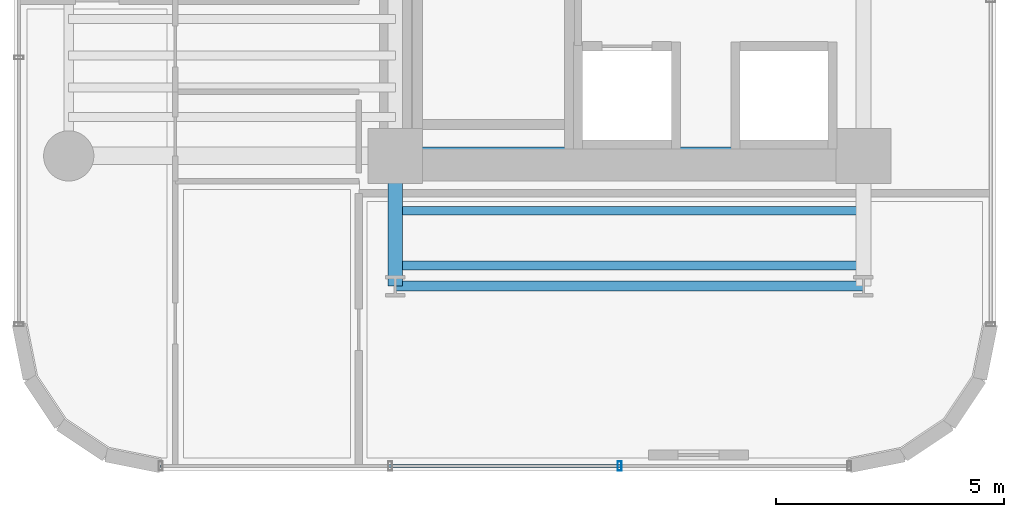
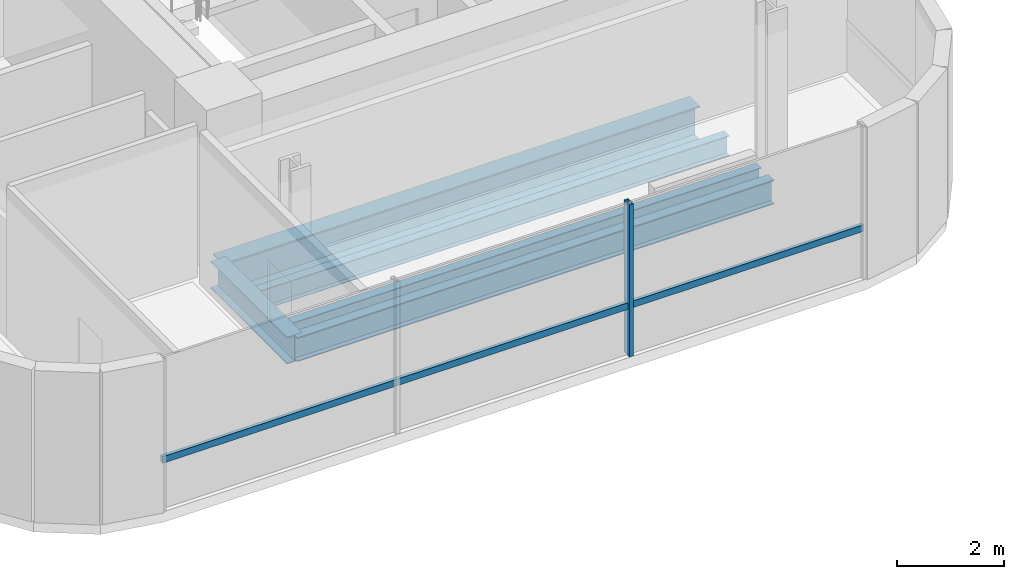
# One storey, part 3 of 35: 5 beams, 2 members, 1 element without a shape of its own.
"""IFC4 building model written with IfcOpenShell, lengths in metres."""

from ifc_helpers import new_model, si_unit, direction, frame, origin, origin_2d, place, context, subcontext, project, spatial, hollow_rectangle, i_section, extrude, source, transform, mapped, material, material_profile, profile_set, type_object, element, aggregate, save


model = new_model("IFC4")

# Units and contexts
model_context = context("Model", 3, precision=1e-05, world=origin(), true_north=direction((0.0, 1.0)))
body_context = subcontext(model_context, "Body", "Model", "MODEL_VIEW")
ifc_project = project(units=[si_unit("LENGTHUNIT", "METRE"), si_unit("AREAUNIT", "SQUARE_METRE"), si_unit("VOLUMEUNIT", "CUBIC_METRE"), si_unit("PLANEANGLEUNIT", "RADIAN"), si_unit("MASSUNIT", "GRAM", prefix="KILO")], contexts=[model_context])

# Site, building, storey
site_placement = place(None, origin())
site = spatial("IfcSite", under=ifc_project, at=site_placement, CompositionType="ELEMENT")
building_placement = place(site_placement, origin())
building = spatial("IfcBuilding", under=site, at=building_placement, Name="Valdorenza Pilgrim Sanctuary Tower", CompositionType="ELEMENT")
storey_placement = place(building_placement, frame((0.0, 0.0, 105.699951171875)))
storey = spatial("IfcBuildingStorey", under=building, at=storey_placement, Name="L26", CompositionType="ELEMENT", Elevation=105.699951171875)

# Beams
ifc_material_1 = material(Name="Steel ASTM A992 Grade 50", Category="steel")
ifc_material_profile_1 = material_profile(ifc_material_1, i_section(OverallWidth=0.214111328125, OverallDepth=0.549072265625, WebThickness=0.0146484375, FlangeThickness=0.023681640625, at=origin_2d()), Name="W21X93")
ifc_profile_set_1 = profile_set([ifc_material_profile_1], Name="Steel ASTM A992 Grade 50")
beam_type_1 = type_object("IfcBeamType", Name="STR-BM-SPN-W21A", PredefinedType="SPANDREL", material=ifc_profile_set_1)
shared_shape_1 = source(origin(), body_context, "Body", "SweptSolid", [
    extrude(i_section(OverallWidth=0.214111328125, OverallDepth=0.549072265625, WebThickness=0.0146484375, FlangeThickness=0.023681640625, at=origin_2d()), origin(), (0.0, 0.0, 1.0), 10.25),
])
beam_1_placement = place(storey_placement, frame((-22.64990234375, -13.449951171875, -0.514404296875), z_axis=(1.0, 0.0, 0.0), x_axis=(0.0, 1.0, 0.0)))
element("IfcBeam", 1, at=beam_1_placement, inside=storey, type_object=beam_type_1, Name="L26 South Spandrel WA-S-TIE", PredefinedType="SPANDREL", context=body_context, shape_type="MappedRepresentation", body=[
    mapped(shared_shape_1, transform((0.0, 0.0, 0.0), x_axis=(1.0, 0.0, 0.0), y_axis=(0.0, 1.0, 0.0), z_axis=(0.0, 0.0, 1.0), scale=1.0)),
])
ifc_material_profile_2 = material_profile(ifc_material_1, i_section(OverallWidth=0.323974609375, OverallDepth=0.611083984375, WebThickness=0.0126953125, FlangeThickness=0.01904296875, at=origin_2d()), Name="W24X104")
ifc_profile_set_2 = profile_set([ifc_material_profile_2], Name="Steel ASTM A992 Grade 50")
beam_type_2 = type_object("IfcBeamType", Name="STR-BM-GRD-W24B", PredefinedType="BEAM", material=ifc_profile_set_2)
shared_shape_2 = source(origin(), body_context, "Body", "SweptSolid", [
    extrude(i_section(OverallWidth=0.323974609375, OverallDepth=0.611083984375, WebThickness=0.0126953125, FlangeThickness=0.01904296875, at=origin_2d()), origin(), (0.0, 0.0, 1.0), 2.849853515625),
])
beam_2_placement = place(storey_placement, frame((-22.64990234375, -13.449951171875, -0.54541015625), z_axis=(0.0, 1.0, 0.0), x_axis=(-1.0, 0.0, 0.0)))
element("IfcBeam", 2, at=beam_2_placement, inside=storey, type_object=beam_type_2, Name="L26 Floor Girder WA-S-LW", PredefinedType="BEAM", context=body_context, shape_type="MappedRepresentation", body=[
    mapped(shared_shape_2, transform((0.0, 0.0, 0.0), x_axis=(1.0, 0.0, 0.0), y_axis=(0.0, 1.0, 0.0), z_axis=(0.0, 0.0, 1.0), scale=1.0)),
])
ifc_material_profile_3 = material_profile(ifc_material_1, i_section(OverallWidth=0.382080078125, OverallDepth=0.779052734375, WebThickness=0.01806640625, FlangeThickness=0.030029296875, at=origin_2d()), Name="W30X191")
ifc_profile_set_3 = profile_set([ifc_material_profile_3], Name="Steel ASTM A992 Grade 50")
beam_type_3 = type_object("IfcBeamType", Name="STR-BM-GRD-W30", PredefinedType="BEAM", material=ifc_profile_set_3)
shared_shape_3 = source(origin(), body_context, "Body", "SweptSolid", [
    extrude(i_section(OverallWidth=0.382080078125, OverallDepth=0.779052734375, WebThickness=0.01806640625, FlangeThickness=0.030029296875, at=origin_2d()), origin(), (0.0, 0.0, 1.0), 10.25),
])
beam_3_placement = place(storey_placement, frame((-22.64990234375, -10.60009765625, -0.62939453125), z_axis=(1.0, 0.0, 0.0), x_axis=(0.0, 1.0, 0.0)))
element("IfcBeam", 3, at=beam_3_placement, inside=storey, type_object=beam_type_3, Name="L26 Floor Girder CA-XC-S1", PredefinedType="BEAM", context=body_context, shape_type="MappedRepresentation", body=[
    mapped(shared_shape_3, transform((0.0, 0.0, 0.0), x_axis=(1.0, 0.0, 0.0), y_axis=(0.0, 1.0, 0.0), z_axis=(0.0, 0.0, 1.0), scale=1.0)),
])
ifc_material_profile_4 = material_profile(ifc_material_1, i_section(OverallWidth=0.19091796875, OverallDepth=0.45703125, WebThickness=0.009033203125, FlangeThickness=0.014404296875, at=origin_2d()), Name="W18X50")
ifc_profile_set_4 = profile_set([ifc_material_profile_4], Name="Steel ASTM A992 Grade 50")
beam_type_4 = type_object("IfcBeamType", Name="STR-BM-JST-W18B", PredefinedType="JOIST", material=ifc_profile_set_4)
shared_shape_4 = source(origin(), body_context, "Body", "SweptSolid", [
    extrude(i_section(OverallWidth=0.19091796875, OverallDepth=0.45703125, WebThickness=0.009033203125, FlangeThickness=0.014404296875, at=origin_2d()), origin(), (0.0, 0.0, 1.0), 10.25),
])
for number, where, z_axis, x_axis, name in (
    (4, (-22.64990234375, -13.0, -0.468505859375), (1.0, 0.0, 0.0), (0.0, 1.0, 0.0), "L26 Composite Floor Joist JST-WAS-1"),
    (5, (-22.64990234375, -11.800048828125, -0.468505859375), (1.0, 0.0, 0.0), (0.0, 1.0, 0.0), "L26 Composite Floor Joist JST-WAS-2"),
):
    element("IfcBeam", number, at=place(storey_placement, frame(where, z_axis=z_axis, x_axis=x_axis)), inside=storey, type_object=beam_type_4, Name=name, PredefinedType="JOIST", context=body_context, shape_type="MappedRepresentation", body=[
        mapped(shared_shape_4, transform((0.0, 0.0, 0.0), x_axis=(1.0, 0.0, 0.0), y_axis=(0.0, 1.0, 0.0), z_axis=(0.0, 0.0, 1.0), scale=1.0)),
    ])

# Curtain wall, members
ifc_material_2 = material(Name="Curtain-wall IGU glazing", Category="glass")
curtain_wall_type = type_object("IfcCurtainWallType", Name="CW-SYS-02", PredefinedType="NOTDEFINED", material=ifc_material_2)
curtain_wall_placement = place(storey_placement, origin())
curtain_wall = element("IfcCurtainWall", 6, at=curtain_wall_placement, inside=storey, type_object=curtain_wall_type, Name="L26 Curtain Wall CW-L26-1-46", PredefinedType="NOTDEFINED")
ifc_material_3 = material(Name="Anodised aluminium AW-6060", Category="aluminium")
ifc_material_profile_5 = material_profile(ifc_material_3, hollow_rectangle(XDim=0.0849609375, YDim=0.199951171875, WallThickness=0.0048828125, at=origin_2d()), Name="ALU-M 200x85x5")
ifc_profile_set_5 = profile_set([ifc_material_profile_5], Name="Anodised aluminium AW-6060")
member_type_1 = type_object("IfcMemberType", Name="CW-MUL-02", PredefinedType="MULLION", material=ifc_profile_set_5)
shared_shape_5 = source(origin(), body_context, "Body", "SweptSolid", [
    extrude(hollow_rectangle(XDim=0.0849609375, YDim=0.199951171875, WallThickness=0.0048828125, at=origin_2d()), origin(), (0.0, 0.0, 1.0), 3.4599609375),
])
member_1_placement = place(storey_placement, frame((-17.73681640625, -17.389892578125, 0.0), z_axis=(0.0, 0.0, 1.0), x_axis=(-1.0, 0.0, 0.0)))
member_1 = element("IfcMember", 7, at=member_1_placement, type_object=member_type_1, Name="CW-L26-1-46 Mullion 2", PredefinedType="MULLION", context=body_context, shape_type="MappedRepresentation", body=[
    mapped(shared_shape_5, transform((0.0, 0.0, 0.0), x_axis=(1.0, 0.0, 0.0), y_axis=(0.0, 1.0, 0.0), z_axis=(0.0, 0.0, 1.0), scale=1.0)),
])
ifc_material_profile_6 = material_profile(ifc_material_3, hollow_rectangle(XDim=0.074951171875, YDim=0.14990234375, WallThickness=0.00390625, at=origin_2d()), Name="ALU-T 150x75x4")
ifc_profile_set_6 = profile_set([ifc_material_profile_6], Name="Anodised aluminium AW-6060")
member_type_2 = type_object("IfcMemberType", Name="CW-TRN-02", PredefinedType="USERDEFINED", material=ifc_profile_set_6)
shared_shape_6 = source(origin(), body_context, "Body", "SweptSolid", [
    extrude(hollow_rectangle(XDim=0.074951171875, YDim=0.14990234375, WallThickness=0.00390625, at=origin_2d()), origin(), (0.0, 0.0, 1.0), 15.07861328125),
])
member_2_placement = place(storey_placement, frame((-12.710693359375, -17.389892578125, 1.1201171875), z_axis=(-1.0, 0.0, 0.0), x_axis=(0.0, -1.0, 0.0)))
member_2 = element("IfcMember", 8, at=member_2_placement, type_object=member_type_2, Name="CW-L26-1-46 Transom 1", ObjectType="TRANSOM", PredefinedType="USERDEFINED", context=body_context, shape_type="MappedRepresentation", body=[
    mapped(shared_shape_6, transform((0.0, 0.0, 0.0), x_axis=(1.0, 0.0, 0.0), y_axis=(0.0, 1.0, 0.0), z_axis=(0.0, 0.0, 1.0), scale=1.0)),
])
aggregate(curtain_wall, [member_1, member_2])

save(model, "model.ifc")
